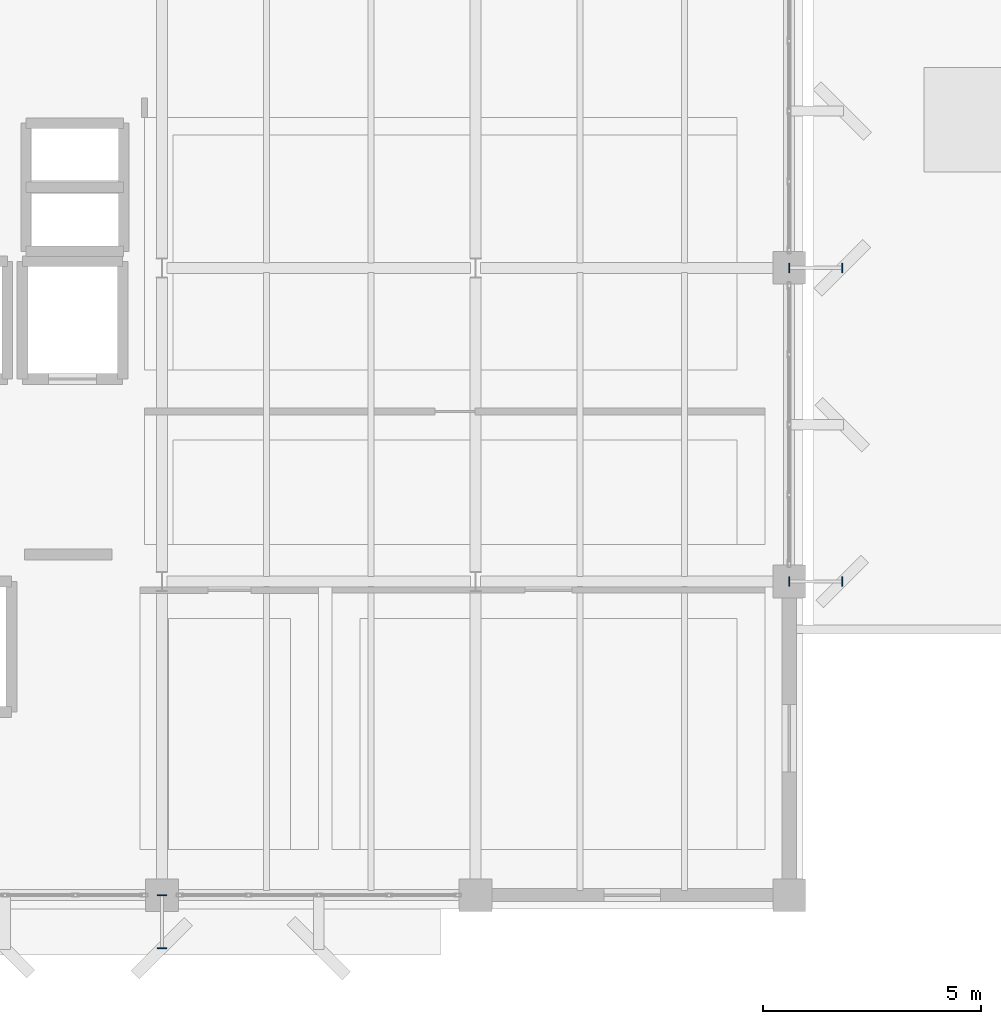
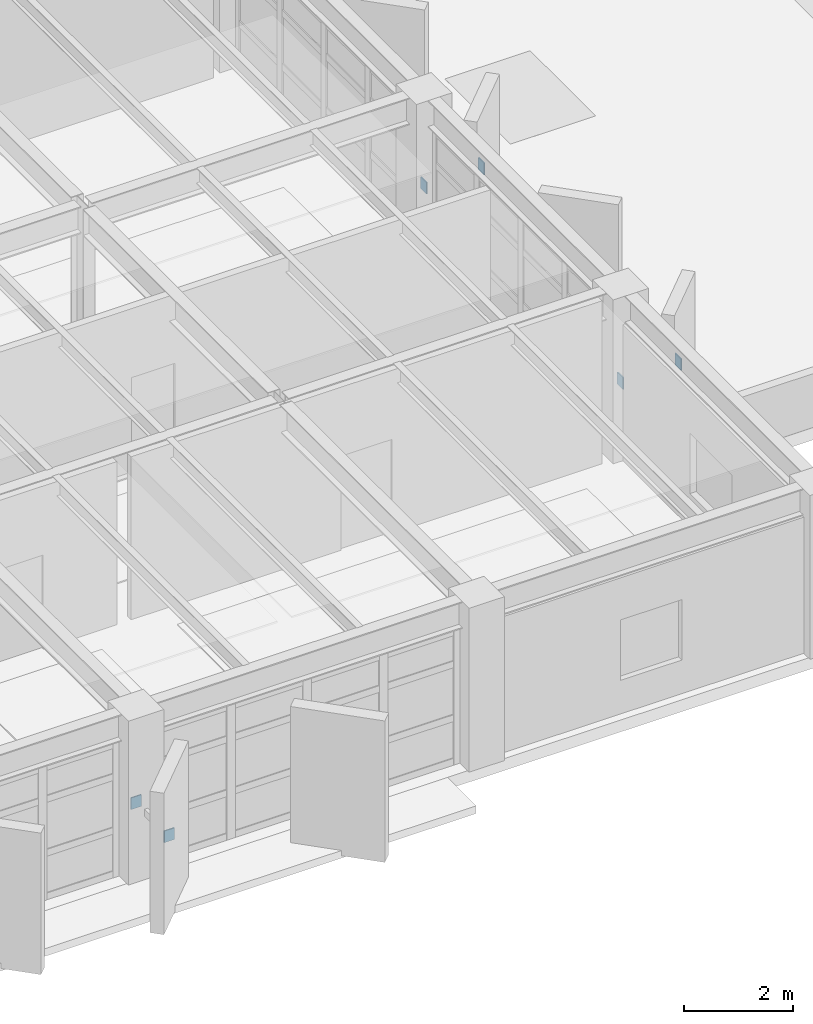
# One storey, part 26 of 32: 6 discrete accessories.
"""IFC4 building model written with IfcOpenShell, lengths in metres."""

from ifc_helpers import new_model, si_unit, direction, frame, origin, origin_2d, place, context, subcontext, project, spatial, rectangle, extrude, material, type_object, element, save


model = new_model("IFC4")

# Units and contexts
model_context = context("Model", 3, precision=1e-05, world=origin(), true_north=direction((0.0, 1.0)))
body_context = subcontext(model_context, "Body", "Model", "MODEL_VIEW")
ifc_project = project(units=[si_unit("LENGTHUNIT", "METRE"), si_unit("AREAUNIT", "SQUARE_METRE"), si_unit("VOLUMEUNIT", "CUBIC_METRE"), si_unit("PLANEANGLEUNIT", "RADIAN"), si_unit("MASSUNIT", "GRAM", prefix="KILO")], contexts=[model_context])

# Site, building, storey
site_placement = place(None, origin())
site = spatial("IfcSite", under=ifc_project, at=site_placement, CompositionType="ELEMENT")
building_placement = place(site_placement, origin())
building = spatial("IfcBuilding", under=site, at=building_placement, Name="Kandorven Conservatory and Botanical Research Centre", CompositionType="ELEMENT")
storey_placement = place(building_placement, frame((0.0, 0.0, 17.10009765625)))
storey = spatial("IfcBuildingStorey", under=building, at=storey_placement, Name="L04", CompositionType="ELEMENT", Elevation=17.10009765625)

# Discrete accessories
ifc_material = material(Name="Steel S355 (IS 2062 E350)", Category="steel")
discrete_accessory_type = type_object("IfcDiscreteAccessoryType", Name="SteelGussetPlate", PredefinedType="BRACKET", material=ifc_material)
for number, where, z_axis, x_axis, name in (
    (1, (27.60009765625, 6.0, 1.3701171875), (0.0, 0.0, 1.0), (1.0, 0.0, 0.0), "Welded steel strut end-plate GUS-01 #35A"),
    (2, (27.60009765625, 4.780029296875, 1.3701171875), (0.0, 0.0, 1.0), (1.0, 0.0, 0.0), "Welded steel strut end-plate GUS-01 #35B"),
):
    element("IfcDiscreteAccessory", number, at=place(storey_placement, frame(where, z_axis=z_axis, x_axis=x_axis)), inside=storey, type_object=discrete_accessory_type, Name=name, PredefinedType="BRACKET", context=body_context, shape_type="SweptSolid", body=[
        extrude(rectangle(XDim=0.219970703125, YDim=0.02392578125, at=origin_2d()), origin(), (0.0, 0.0, 1.0), 0.260009765625),
    ])
for number, where, z_axis, x_axis, name in (
    (3, (42.0, 13.199951171875, 1.3701171875), (0.0, 0.0, 1.0), (1.0, 0.0, 0.0), "Welded steel strut end-plate GUS-01 #41A"),
    (4, (43.219970703125, 13.199951171875, 1.3701171875), (0.0, 0.0, 1.0), (1.0, 0.0, 0.0), "Welded steel strut end-plate GUS-01 #41B"),
    (5, (42.0, 20.39990234375, 1.3701171875), (0.0, 0.0, 1.0), (1.0, 0.0, 0.0), "Welded steel strut end-plate GUS-01 #43A"),
    (6, (43.219970703125, 20.39990234375, 1.3701171875), (0.0, 0.0, 1.0), (1.0, 0.0, 0.0), "Welded steel strut end-plate GUS-01 #43B"),
):
    element("IfcDiscreteAccessory", number, at=place(storey_placement, frame(where, z_axis=z_axis, x_axis=x_axis)), inside=storey, type_object=discrete_accessory_type, Name=name, PredefinedType="BRACKET", context=body_context, shape_type="SweptSolid", body=[
        extrude(rectangle(XDim=0.02392578125, YDim=0.219970703125, at=origin_2d()), origin(), (0.0, 0.0, 1.0), 0.260009765625),
    ])

save(model, "model.ifc")
